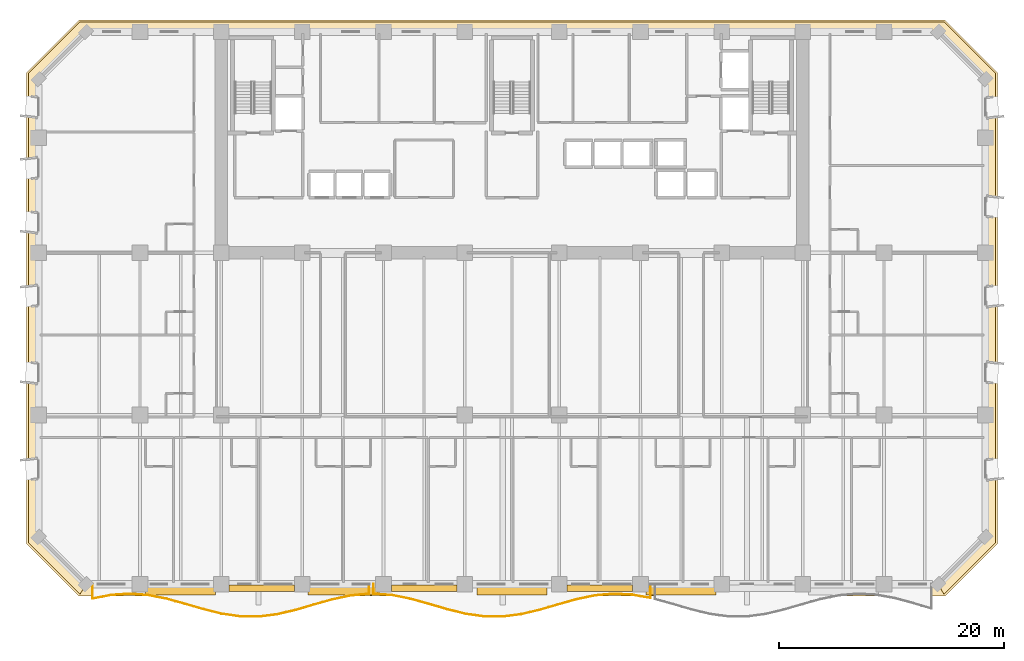
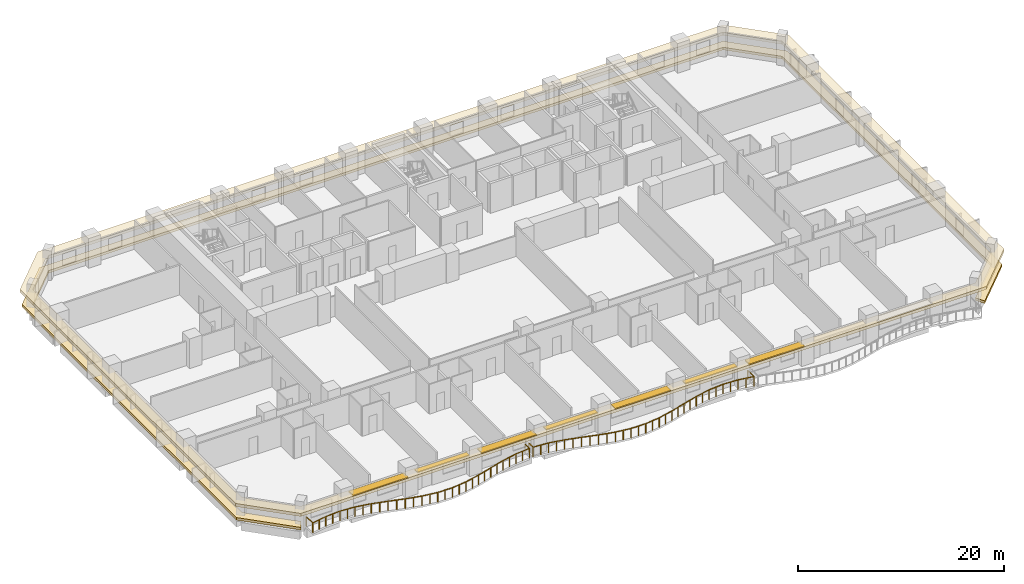
# One storey, part 12 of 15: 7 shading devices, 2 coverings, 2 railings.
"""IFC4 building model written with IfcOpenShell, lengths in metres."""

from ifc_helpers import new_model, si_unit, direction, frame, origin, origin_2d, place, context, subcontext, project, spatial, polyline, rectangle, outline, extrude, material, layer, layer_set, type_object, element, save


model = new_model("IFC4")

# Units and contexts
model_context = context("Model", 3, precision=1e-05, world=origin(), true_north=direction((0.0, 1.0)))
body_context = subcontext(model_context, "Body", "Model", "MODEL_VIEW")
ifc_project = project(units=[si_unit("LENGTHUNIT", "METRE"), si_unit("AREAUNIT", "SQUARE_METRE"), si_unit("VOLUMEUNIT", "CUBIC_METRE"), si_unit("PLANEANGLEUNIT", "RADIAN"), si_unit("MASSUNIT", "GRAM", prefix="KILO")], contexts=[model_context])

# Site, building, storey
site_placement = place(None, origin())
site = spatial("IfcSite", under=ifc_project, at=site_placement, CompositionType="ELEMENT")
building_placement = place(site_placement, origin())
building = spatial("IfcBuilding", under=site, at=building_placement, Name="Kaelvorn Grand Hotel", CompositionType="ELEMENT")
storey_placement = place(building_placement, frame((0.0, 0.0, 68.89990234375)))
storey = spatial("IfcBuildingStorey", under=building, at=storey_placement, Name="L15", CompositionType="ELEMENT", Elevation=68.89990234375)

# Coverings
ifc_material_1 = material(Name="Precast concrete C45/55", Category="concrete")
ifc_layer_1 = layer(ifc_material_1, 0.260009765625)
ifc_layer_set_1 = layer_set([ifc_layer_1], Name="Precast concrete C45/55")
covering_type_1 = type_object("IfcCoveringType", Name="COV-BAND-STREAMLINE-HEAD", PredefinedType="CLADDING", material=ifc_layer_set_1)
covering_1_placement = place(storey_placement, frame((0.0, 0.0, 2.18017578125)))
element("IfcCovering", 1, at=covering_1_placement, inside=storey, type_object=covering_type_1, Name="L15 Streamline Moderne Wraparound Horizontal Eyebrow Band", PredefinedType="CLADDING", context=body_context, shape_type="SweptSolid", body=[
    extrude(outline(polyline([(3.590087890625, -1.050048828125), (80.409912109375, -1.050048828125), (85.050048828125, 3.590087890625), (85.050048828125, 45.409912109375), (80.409912109375, 50.050048828125), (3.590087890625, 50.050048828125), (-1.050048828125, 45.409912109375), (-1.050048828125, 3.590087890625), (3.590087890625, -1.050048828125)]), holes=[polyline([(4.219970703125, 0.030029296875), (79.780029296875, 0.030029296875), (83.969970703125, 4.219970703125), (83.969970703125, 44.780029296875), (79.780029296875, 48.969970703125), (4.219970703125, 48.969970703125), (0.030029296875, 44.780029296875), (0.030029296875, 4.219970703125), (4.219970703125, 0.030029296875)])]), origin(), (0.0, 0.0, 1.0), 0.35986328125),
])
ifc_layer_2 = layer(ifc_material_1, 0.219970703125)
ifc_layer_set_2 = layer_set([ifc_layer_2], Name="Precast concrete C45/55")
covering_type_2 = type_object("IfcCoveringType", Name="COV-BAND-STREAMLINE-SILL", PredefinedType="CLADDING", material=ifc_layer_set_2)
covering_2_placement = place(storey_placement, frame((0.0, 0.0, 0.4501953125)))
element("IfcCovering", 2, at=covering_2_placement, inside=storey, type_object=covering_type_2, Name="L15 Streamline Moderne Wraparound Horizontal Sill Spandrel Band", PredefinedType="CLADDING", context=body_context, shape_type="SweptSolid", body=[
    extrude(outline(polyline([(80.3154296875, -0.8798828125), (84.8798828125, 3.6845703125), (84.8798828125, 45.3154296875), (80.3154296875, 49.8798828125), (3.6845703125, 49.8798828125), (-0.8798828125, 45.3154296875), (-0.8798828125, 3.6845703125), (3.6845703125, -0.8798828125), (4.217529296875, 0.030029296875), (0.030029296875, 4.217529296875), (0.030029296875, 44.782470703125), (4.217529296875, 48.969970703125), (79.782470703125, 48.969970703125), (83.969970703125, 44.782470703125), (83.969970703125, 4.217529296875), (79.782470703125, 0.030029296875), (80.3154296875, -0.8798828125)])), origin(), (0.0, 0.0, 1.0), 0.2998046875),
])

# Railings
ifc_material_2 = material(Name="Stainless Steel", Category="steel")
railing_type = type_object("IfcRailingType", Name="RL-BALC-1150", PredefinedType="BALUSTRADE", material=ifc_material_2)
railing_1_placement = place(storey_placement, frame((4.800048828125, 0.0, 0.0)))
element("IfcRailing", 3, at=railing_1_placement, inside=storey, type_object=railing_type, Name="L15 Scalloped Wave Balcony Balustrade GR1-1", PredefinedType="BALUSTRADE", context=body_context, shape_type="SweptSolid", body=[
    extrude(rectangle(XDim=0.048095703125, YDim=0.048095703125, at=origin_2d()), frame((0.0, 0.0, 1.1259765625), z_axis=(0.0, -1.0, 0.0), x_axis=(1.0, 0.0, 0.0)), (0.0, 0.0, 1.0), 1.2724609375),
    extrude(rectangle(XDim=0.048095703125, YDim=0.048095703125, at=origin_2d()), frame((0.0, -1.2724609375, 1.1259765625), z_axis=(0.982203562984, 0.1878194901, 0.0), x_axis=(-0.1878194901, 0.982203562984, 0.0)), (0.0, 0.0, 1.0), 1.6650390625),
    extrude(rectangle(XDim=0.048095703125, YDim=0.048095703125, at=origin_2d()), frame((1.635498046875, -0.959716796875, 1.1259765625), z_axis=(0.997761369143, 0.066874885019, 0.0), x_axis=(-0.066874885019, 0.997761369143, 0.0)), (0.0, 0.0, 1.0), 1.63916015625),
    extrude(rectangle(XDim=0.048095703125, YDim=0.048095703125, at=origin_2d()), frame((3.27099609375, -0.85009765625, 1.1259765625), z_axis=(0.997411632493, -0.071902957984, 0.0), x_axis=(0.071902957984, 0.997411632493, 0.0)), (0.0, 0.0, 1.0), 1.639892578125),
    extrude(rectangle(XDim=0.048095703125, YDim=0.048095703125, at=origin_2d()), frame((4.90673828125, -0.968017578125, 1.1259765625), z_axis=(0.981438838615, -0.191775405247, 0.0), x_axis=(0.191775405247, 0.981438838615, 0.0)), (0.0, 0.0, 1.0), 1.66650390625),
    extrude(rectangle(XDim=0.048095703125, YDim=0.048095703125, at=origin_2d()), frame((6.542236328125, -1.28759765625, 1.1259765625), z_axis=(0.96417686915, -0.265260183586, 0.0), x_axis=(0.265260183586, 0.96417686915, 0.0)), (0.0, 0.0, 1.0), 1.6962890625),
    extrude(rectangle(XDim=0.048095703125, YDim=0.048095703125, at=origin_2d()), frame((8.177734375, -1.737548828125, 1.1259765625), z_axis=(0.959454398454, -0.281863898516, 0.0), x_axis=(0.281863898516, 0.959454398454, 0.0)), (0.0, 0.0, 1.0), 1.70458984375),
    extrude(rectangle(XDim=0.048095703125, YDim=0.048095703125, at=origin_2d()), frame((9.813232421875, -2.218017578125, 1.1259765625), z_axis=(0.970778455787, -0.239977477651, 0.0), x_axis=(0.239977477651, 0.970778455787, 0.0)), (0.0, 0.0, 1.0), 1.684814453125),
    extrude(rectangle(XDim=0.048095703125, YDim=0.048095703125, at=origin_2d()), frame((11.44873046875, -2.622314453125, 1.1259765625), z_axis=(0.98955581649, -0.144150220432, 0.0), x_axis=(0.144150220432, 0.98955581649, 0.0)), (0.0, 0.0, 1.0), 1.653076171875),
    extrude(rectangle(XDim=0.048095703125, YDim=0.048095703125, at=origin_2d()), frame((13.08447265625, -2.860595703125, 1.1259765625), z_axis=(0.999928700978, -0.011941229449, 0.0), x_axis=(0.011941229449, 0.999928700978, 0.0)), (0.0, 0.0, 1.0), 1.635498046875),
    extrude(rectangle(XDim=0.048095703125, YDim=0.048095703125, at=origin_2d()), frame((14.719970703125, -2.880126953125, 1.1259765625), z_axis=(0.992302924099, 0.123834190856, 0.0), x_axis=(-0.123834190856, 0.992302924099, 0.0)), (0.0, 0.0, 1.0), 1.648193359375),
    extrude(rectangle(XDim=0.048095703125, YDim=0.048095703125, at=origin_2d()), frame((16.35546875, -2.676025390625, 1.1259765625), z_axis=(0.973844426508, 0.227215829024, 0.0), x_axis=(-0.227215829024, 0.973844426508, 0.0)), (0.0, 0.0, 1.0), 1.679443359375),
    extrude(rectangle(XDim=0.048095703125, YDim=0.048095703125, at=origin_2d()), frame((17.990966796875, -2.29443359375, 1.1259765625), z_axis=(0.960314032901, 0.278921060899, 0.0), x_axis=(-0.278921060899, 0.960314032901, 0.0)), (0.0, 0.0, 1.0), 1.703369140625),
    extrude(rectangle(XDim=0.048095703125, YDim=0.048095703125, at=origin_2d()), frame((19.626708984375, -1.8193359375, 1.1259765625), z_axis=(0.962241545122, 0.272197003733, 0.0), x_axis=(-0.272197003733, 0.962241545122, 0.0)), (0.0, 0.0, 1.0), 1.69970703125),
    extrude(rectangle(XDim=0.048095703125, YDim=0.048095703125, at=origin_2d()), frame((21.26220703125, -1.356689453125, 1.1259765625), z_axis=(0.978174805455, 0.207783661466, 0.0), x_axis=(-0.207783661466, 0.978174805455, 0.0)), (0.0, 0.0, 1.0), 1.671875),
    extrude(rectangle(XDim=0.048095703125, YDim=0.048095703125, at=origin_2d()), frame((22.897705078125, -1.00927734375, 1.1259765625), z_axis=(0.995523480824, 0.09451454453, 0.0), x_axis=(-0.09451454453, 0.995523480824, 0.0)), (0.0, 0.0, 1.0), 1.642822265625),
    extrude(rectangle(XDim=0.048095703125, YDim=0.048095703125, at=origin_2d()), frame((24.533203125, -0.85400390625, 1.1259765625), z_axis=(0.0, 1.0, 0.0), x_axis=(-1.0, 0.0, 0.0)), (0.0, 0.0, 1.0), 0.85400390625),
    extrude(rectangle(XDim=0.0419921875, YDim=0.0419921875, at=origin_2d()), origin(), (0.0, 0.0, 1.0), 1.101806640625),
    extrude(rectangle(XDim=0.0419921875, YDim=0.0419921875, at=origin_2d()), frame((0.0, -1.2724609375, 0.0)), (0.0, 0.0, 1.0), 1.101806640625),
    extrude(rectangle(XDim=0.0419921875, YDim=0.0419921875, at=origin_2d()), frame((0.81787109375, -1.1162109375, 0.0)), (0.0, 0.0, 1.0), 1.101806640625),
    extrude(rectangle(XDim=0.0419921875, YDim=0.0419921875, at=origin_2d()), frame((1.635498046875, -0.959716796875, 0.0)), (0.0, 0.0, 1.0), 1.101806640625),
    extrude(rectangle(XDim=0.0419921875, YDim=0.0419921875, at=origin_2d()), frame((2.453125, -0.90478515625, 0.0)), (0.0, 0.0, 1.0), 1.101806640625),
    extrude(rectangle(XDim=0.0419921875, YDim=0.0419921875, at=origin_2d()), frame((3.27099609375, -0.85009765625, 0.0)), (0.0, 0.0, 1.0), 1.101806640625),
    extrude(rectangle(XDim=0.0419921875, YDim=0.0419921875, at=origin_2d()), frame((4.0888671875, -0.9091796875, 0.0)), (0.0, 0.0, 1.0), 1.101806640625),
    extrude(rectangle(XDim=0.0419921875, YDim=0.0419921875, at=origin_2d()), frame((4.90673828125, -0.968017578125, 0.0)), (0.0, 0.0, 1.0), 1.101806640625),
    extrude(rectangle(XDim=0.0419921875, YDim=0.0419921875, at=origin_2d()), frame((5.724609375, -1.1279296875, 0.0)), (0.0, 0.0, 1.0), 1.101806640625),
    extrude(rectangle(XDim=0.0419921875, YDim=0.0419921875, at=origin_2d()), frame((6.542236328125, -1.28759765625, 0.0)), (0.0, 0.0, 1.0), 1.101806640625),
    extrude(rectangle(XDim=0.0419921875, YDim=0.0419921875, at=origin_2d()), frame((7.35986328125, -1.5126953125, 0.0)), (0.0, 0.0, 1.0), 1.101806640625),
    extrude(rectangle(XDim=0.0419921875, YDim=0.0419921875, at=origin_2d()), frame((8.177734375, -1.737548828125, 0.0)), (0.0, 0.0, 1.0), 1.101806640625),
    extrude(rectangle(XDim=0.0419921875, YDim=0.0419921875, at=origin_2d()), frame((8.99560546875, -1.977783203125, 0.0)), (0.0, 0.0, 1.0), 1.101806640625),
    extrude(rectangle(XDim=0.0419921875, YDim=0.0419921875, at=origin_2d()), frame((9.813232421875, -2.218017578125, 0.0)), (0.0, 0.0, 1.0), 1.101806640625),
    extrude(rectangle(XDim=0.0419921875, YDim=0.0419921875, at=origin_2d()), frame((10.630859375, -2.420166015625, 0.0)), (0.0, 0.0, 1.0), 1.101806640625),
    extrude(rectangle(XDim=0.0419921875, YDim=0.0419921875, at=origin_2d()), frame((11.44873046875, -2.622314453125, 0.0)), (0.0, 0.0, 1.0), 1.101806640625),
    extrude(rectangle(XDim=0.0419921875, YDim=0.0419921875, at=origin_2d()), frame((12.2666015625, -2.741455078125, 0.0)), (0.0, 0.0, 1.0), 1.101806640625),
    extrude(rectangle(XDim=0.0419921875, YDim=0.0419921875, at=origin_2d()), frame((13.08447265625, -2.860595703125, 0.0)), (0.0, 0.0, 1.0), 1.101806640625),
    extrude(rectangle(XDim=0.0419921875, YDim=0.0419921875, at=origin_2d()), frame((13.90234375, -2.870361328125, 0.0)), (0.0, 0.0, 1.0), 1.101806640625),
    extrude(rectangle(XDim=0.0419921875, YDim=0.0419921875, at=origin_2d()), frame((14.719970703125, -2.880126953125, 0.0)), (0.0, 0.0, 1.0), 1.101806640625),
    extrude(rectangle(XDim=0.0419921875, YDim=0.0419921875, at=origin_2d()), frame((15.53759765625, -2.778076171875, 0.0)), (0.0, 0.0, 1.0), 1.101806640625),
    extrude(rectangle(XDim=0.0419921875, YDim=0.0419921875, at=origin_2d()), frame((16.35546875, -2.676025390625, 0.0)), (0.0, 0.0, 1.0), 1.101806640625),
    extrude(rectangle(XDim=0.0419921875, YDim=0.0419921875, at=origin_2d()), frame((17.17333984375, -2.4853515625, 0.0)), (0.0, 0.0, 1.0), 1.101806640625),
    extrude(rectangle(XDim=0.0419921875, YDim=0.0419921875, at=origin_2d()), frame((17.990966796875, -2.29443359375, 0.0)), (0.0, 0.0, 1.0), 1.101806640625),
    extrude(rectangle(XDim=0.0419921875, YDim=0.0419921875, at=origin_2d()), frame((18.808837890625, -2.056884765625, 0.0)), (0.0, 0.0, 1.0), 1.101806640625),
    extrude(rectangle(XDim=0.0419921875, YDim=0.0419921875, at=origin_2d()), frame((19.626708984375, -1.8193359375, 0.0)), (0.0, 0.0, 1.0), 1.101806640625),
    extrude(rectangle(XDim=0.0419921875, YDim=0.0419921875, at=origin_2d()), frame((20.4443359375, -1.587890625, 0.0)), (0.0, 0.0, 1.0), 1.101806640625),
    extrude(rectangle(XDim=0.0419921875, YDim=0.0419921875, at=origin_2d()), frame((21.26220703125, -1.356689453125, 0.0)), (0.0, 0.0, 1.0), 1.101806640625),
    extrude(rectangle(XDim=0.0419921875, YDim=0.0419921875, at=origin_2d()), frame((22.080078125, -1.18310546875, 0.0)), (0.0, 0.0, 1.0), 1.101806640625),
    extrude(rectangle(XDim=0.0419921875, YDim=0.0419921875, at=origin_2d()), frame((22.897705078125, -1.00927734375, 0.0)), (0.0, 0.0, 1.0), 1.101806640625),
    extrude(rectangle(XDim=0.0419921875, YDim=0.0419921875, at=origin_2d()), frame((23.71533203125, -0.931640625, 0.0)), (0.0, 0.0, 1.0), 1.101806640625),
    extrude(rectangle(XDim=0.0419921875, YDim=0.0419921875, at=origin_2d()), frame((24.533203125, -0.85400390625, 0.0)), (0.0, 0.0, 1.0), 1.101806640625),
    extrude(rectangle(XDim=0.0419921875, YDim=0.0419921875, at=origin_2d()), frame((24.533203125, 0.0, 0.0)), (0.0, 0.0, 1.0), 1.101806640625),
])
railing_2_placement = place(storey_placement, frame((29.7333984375, 0.0, 0.0)))
element("IfcRailing", 4, at=railing_2_placement, inside=storey, type_object=railing_type, Name="L15 Scalloped Wave Balcony Balustrade GR1-2", PredefinedType="BALUSTRADE", context=body_context, shape_type="SweptSolid", body=[
    extrude(rectangle(XDim=0.048095703125, YDim=0.048095703125, at=origin_2d()), frame((0.0, 0.0, 1.1259765625), z_axis=(0.0, -1.0, 0.0), x_axis=(1.0, 0.0, 0.0)), (0.0, 0.0, 1.0), 0.850341796875),
    extrude(rectangle(XDim=0.048095703125, YDim=0.048095703125, at=origin_2d()), frame((0.0, -0.850341796875, 1.1259765625), z_axis=(0.997023764101, -0.077094836514, 0.0), x_axis=(0.077094836514, 0.997023764101, 0.0)), (0.0, 0.0, 1.0), 1.640380859375),
    extrude(rectangle(XDim=0.048095703125, YDim=0.048095703125, at=origin_2d()), frame((1.635498046875, -0.976806640625, 1.1259765625), z_axis=(0.980687509387, -0.195581208022, 0.0), x_axis=(0.195581208022, 0.980687509387, 0.0)), (0.0, 0.0, 1.0), 1.667724609375),
    extrude(rectangle(XDim=0.048095703125, YDim=0.048095703125, at=origin_2d()), frame((3.27099609375, -1.302978515625, 1.1259765625), z_axis=(0.963696999215, -0.266998302813, 0.0), x_axis=(0.266998302813, 0.963696999215, 0.0)), (0.0, 0.0, 1.0), 1.697021484375),
    extrude(rectangle(XDim=0.048095703125, YDim=0.048095703125, at=origin_2d()), frame((4.906494140625, -1.756103515625, 1.1259765625), z_axis=(0.959620545058, -0.281297723954, 0.0), x_axis=(0.281297723954, 0.959620545058, 0.0)), (0.0, 0.0, 1.0), 1.70458984375),
    extrude(rectangle(XDim=0.048095703125, YDim=0.048095703125, at=origin_2d()), frame((6.542236328125, -2.235595703125, 1.1259765625), z_axis=(0.971450272651, -0.237243267063, 0.0), x_axis=(0.237243267063, 0.971450272651, 0.0)), (0.0, 0.0, 1.0), 1.68359375),
    extrude(rectangle(XDim=0.048095703125, YDim=0.048095703125, at=origin_2d()), frame((8.177734375, -2.635009765625, 1.1259765625), z_axis=(0.990216726889, -0.139537929569, 0.0), x_axis=(0.139537929569, 0.990216726889, 0.0)), (0.0, 0.0, 1.0), 1.651611328125),
    extrude(rectangle(XDim=0.048095703125, YDim=0.048095703125, at=origin_2d()), frame((9.813232421875, -2.865478515625, 1.1259765625), z_axis=(0.999978430437, -0.006568002827, 0.0), x_axis=(0.006568002827, 0.999978430437, 0.0)), (0.0, 0.0, 1.0), 1.635498046875),
    extrude(rectangle(XDim=0.048095703125, YDim=0.048095703125, at=origin_2d()), frame((11.44873046875, -2.876220703125, 1.1259765625), z_axis=(0.991731137416, 0.128332969573, 0.0), x_axis=(-0.128332969573, 0.991731137416, 0.0)), (0.0, 0.0, 1.0), 1.6494140625),
    extrude(rectangle(XDim=0.048095703125, YDim=0.048095703125, at=origin_2d()), frame((13.08447265625, -2.66455078125, 1.1259765625), z_axis=(0.973100001254, 0.230383132108, 0.0), x_axis=(-0.230383132108, 0.973100001254, 0.0)), (0.0, 0.0, 1.0), 1.6806640625),
    extrude(rectangle(XDim=0.048095703125, YDim=0.048095703125, at=origin_2d()), frame((14.719970703125, -2.27734375, 1.1259765625), z_axis=(0.960072199194, 0.27975234107, 0.0), x_axis=(-0.27975234107, 0.960072199194, 0.0)), (0.0, 0.0, 1.0), 1.70361328125),
    extrude(rectangle(XDim=0.048095703125, YDim=0.048095703125, at=origin_2d()), frame((16.35546875, -1.80078125, 1.1259765625), z_axis=(0.962654451324, 0.270733092446, 0.0), x_axis=(-0.270733092446, 0.962654451324, 0.0)), (0.0, 0.0, 1.0), 1.698974609375),
    extrude(rectangle(XDim=0.048095703125, YDim=0.048095703125, at=origin_2d()), frame((17.990966796875, -1.3408203125, 1.1259765625), z_axis=(0.97891716502, 0.204257641298, 0.0), x_axis=(-0.204257641298, 0.97891716502, 0.0)), (0.0, 0.0, 1.0), 1.6708984375),
    extrude(rectangle(XDim=0.048095703125, YDim=0.048095703125, at=origin_2d()), frame((19.626708984375, -0.99951171875, 1.1259765625), z_axis=(0.9959865086, 0.089503489801, 0.0), x_axis=(-0.089503489801, 0.9959865086, 0.0)), (0.0, 0.0, 1.0), 1.64208984375),
    extrude(rectangle(XDim=0.048095703125, YDim=0.048095703125, at=origin_2d()), frame((21.26220703125, -0.8525390625, 1.1259765625), z_axis=(0.998796192394, -0.049052686565, 0.0), x_axis=(0.049052686565, 0.998796192394, 0.0)), (0.0, 0.0, 1.0), 1.637451171875),
    extrude(rectangle(XDim=0.048095703125, YDim=0.048095703125, at=origin_2d()), frame((22.897705078125, -0.932861328125, 1.1259765625), z_axis=(0.984712445929, -0.174187826306, 0.0), x_axis=(0.174187826306, 0.984712445929, 0.0)), (0.0, 0.0, 1.0), 1.660888671875),
    extrude(rectangle(XDim=0.048095703125, YDim=0.048095703125, at=origin_2d()), frame((24.533203125, -1.22216796875, 1.1259765625), z_axis=(0.0, 1.0, 0.0), x_axis=(-1.0, 0.0, 0.0)), (0.0, 0.0, 1.0), 1.22216796875),
    extrude(rectangle(XDim=0.0419921875, YDim=0.0419921875, at=origin_2d()), origin(), (0.0, 0.0, 1.0), 1.101806640625),
    extrude(rectangle(XDim=0.0419921875, YDim=0.0419921875, at=origin_2d()), frame((0.0, -0.850341796875, 0.0)), (0.0, 0.0, 1.0), 1.101806640625),
    extrude(rectangle(XDim=0.0419921875, YDim=0.0419921875, at=origin_2d()), frame((0.81787109375, -0.91357421875, 0.0)), (0.0, 0.0, 1.0), 1.101806640625),
    extrude(rectangle(XDim=0.0419921875, YDim=0.0419921875, at=origin_2d()), frame((1.635498046875, -0.976806640625, 0.0)), (0.0, 0.0, 1.0), 1.101806640625),
    extrude(rectangle(XDim=0.0419921875, YDim=0.0419921875, at=origin_2d()), frame((2.453125, -1.139892578125, 0.0)), (0.0, 0.0, 1.0), 1.101806640625),
    extrude(rectangle(XDim=0.0419921875, YDim=0.0419921875, at=origin_2d()), frame((3.27099609375, -1.302978515625, 0.0)), (0.0, 0.0, 1.0), 1.101806640625),
    extrude(rectangle(XDim=0.0419921875, YDim=0.0419921875, at=origin_2d()), frame((4.0888671875, -1.529541015625, 0.0)), (0.0, 0.0, 1.0), 1.101806640625),
    extrude(rectangle(XDim=0.0419921875, YDim=0.0419921875, at=origin_2d()), frame((4.906494140625, -1.756103515625, 0.0)), (0.0, 0.0, 1.0), 1.101806640625),
    extrude(rectangle(XDim=0.0419921875, YDim=0.0419921875, at=origin_2d()), frame((5.724365234375, -1.995849609375, 0.0)), (0.0, 0.0, 1.0), 1.101806640625),
    extrude(rectangle(XDim=0.0419921875, YDim=0.0419921875, at=origin_2d()), frame((6.542236328125, -2.235595703125, 0.0)), (0.0, 0.0, 1.0), 1.101806640625),
    extrude(rectangle(XDim=0.0419921875, YDim=0.0419921875, at=origin_2d()), frame((7.35986328125, -2.435302734375, 0.0)), (0.0, 0.0, 1.0), 1.101806640625),
    extrude(rectangle(XDim=0.0419921875, YDim=0.0419921875, at=origin_2d()), frame((8.177734375, -2.635009765625, 0.0)), (0.0, 0.0, 1.0), 1.101806640625),
    extrude(rectangle(XDim=0.0419921875, YDim=0.0419921875, at=origin_2d()), frame((8.99560546875, -2.750244140625, 0.0)), (0.0, 0.0, 1.0), 1.101806640625),
    extrude(rectangle(XDim=0.0419921875, YDim=0.0419921875, at=origin_2d()), frame((9.813232421875, -2.865478515625, 0.0)), (0.0, 0.0, 1.0), 1.101806640625),
    extrude(rectangle(XDim=0.0419921875, YDim=0.0419921875, at=origin_2d()), frame((10.630859375, -2.870849609375, 0.0)), (0.0, 0.0, 1.0), 1.101806640625),
    extrude(rectangle(XDim=0.0419921875, YDim=0.0419921875, at=origin_2d()), frame((11.44873046875, -2.876220703125, 0.0)), (0.0, 0.0, 1.0), 1.101806640625),
    extrude(rectangle(XDim=0.0419921875, YDim=0.0419921875, at=origin_2d()), frame((12.2666015625, -2.7705078125, 0.0)), (0.0, 0.0, 1.0), 1.101806640625),
    extrude(rectangle(XDim=0.0419921875, YDim=0.0419921875, at=origin_2d()), frame((13.08447265625, -2.66455078125, 0.0)), (0.0, 0.0, 1.0), 1.101806640625),
    extrude(rectangle(XDim=0.0419921875, YDim=0.0419921875, at=origin_2d()), frame((13.90234375, -2.470947265625, 0.0)), (0.0, 0.0, 1.0), 1.101806640625),
    extrude(rectangle(XDim=0.0419921875, YDim=0.0419921875, at=origin_2d()), frame((14.719970703125, -2.27734375, 0.0)), (0.0, 0.0, 1.0), 1.101806640625),
    extrude(rectangle(XDim=0.0419921875, YDim=0.0419921875, at=origin_2d()), frame((15.53759765625, -2.0390625, 0.0)), (0.0, 0.0, 1.0), 1.101806640625),
    extrude(rectangle(XDim=0.0419921875, YDim=0.0419921875, at=origin_2d()), frame((16.35546875, -1.80078125, 0.0)), (0.0, 0.0, 1.0), 1.101806640625),
    extrude(rectangle(XDim=0.0419921875, YDim=0.0419921875, at=origin_2d()), frame((17.17333984375, -1.57080078125, 0.0)), (0.0, 0.0, 1.0), 1.101806640625),
    extrude(rectangle(XDim=0.0419921875, YDim=0.0419921875, at=origin_2d()), frame((17.990966796875, -1.3408203125, 0.0)), (0.0, 0.0, 1.0), 1.101806640625),
    extrude(rectangle(XDim=0.0419921875, YDim=0.0419921875, at=origin_2d()), frame((18.808837890625, -1.170166015625, 0.0)), (0.0, 0.0, 1.0), 1.101806640625),
    extrude(rectangle(XDim=0.0419921875, YDim=0.0419921875, at=origin_2d()), frame((19.626708984375, -0.99951171875, 0.0)), (0.0, 0.0, 1.0), 1.101806640625),
    extrude(rectangle(XDim=0.0419921875, YDim=0.0419921875, at=origin_2d()), frame((20.4443359375, -0.926025390625, 0.0)), (0.0, 0.0, 1.0), 1.101806640625),
    extrude(rectangle(XDim=0.0419921875, YDim=0.0419921875, at=origin_2d()), frame((21.26220703125, -0.8525390625, 0.0)), (0.0, 0.0, 1.0), 1.101806640625),
    extrude(rectangle(XDim=0.0419921875, YDim=0.0419921875, at=origin_2d()), frame((22.080078125, -0.892578125, 0.0)), (0.0, 0.0, 1.0), 1.101806640625),
    extrude(rectangle(XDim=0.0419921875, YDim=0.0419921875, at=origin_2d()), frame((22.897705078125, -0.932861328125, 0.0)), (0.0, 0.0, 1.0), 1.101806640625),
    extrude(rectangle(XDim=0.0419921875, YDim=0.0419921875, at=origin_2d()), frame((23.71533203125, -1.07763671875, 0.0)), (0.0, 0.0, 1.0), 1.101806640625),
    extrude(rectangle(XDim=0.0419921875, YDim=0.0419921875, at=origin_2d()), frame((24.533203125, -1.22216796875, 0.0)), (0.0, 0.0, 1.0), 1.101806640625),
    extrude(rectangle(XDim=0.0419921875, YDim=0.0419921875, at=origin_2d()), frame((24.533203125, 0.0, 0.0)), (0.0, 0.0, 1.0), 1.101806640625),
])

# Shading devices
ifc_layer_3 = layer(ifc_material_1, 0.1201171875)
ifc_layer_set_3 = layer_set([ifc_layer_3], Name="Precast concrete C45/55")
shading_device_type_1 = type_object("IfcShadingDeviceType", Name="SHD-SUNSHADE-550", PredefinedType="USERDEFINED", material=ifc_layer_set_3)
for number, where, z_axis, x_axis, name in (
    (5, (19.800048828125, -0.364990234375, 2.419921875), (0.0, 0.0, 1.0), (1.0, 0.0, 0.0), "L15 Horizontal Concrete Sunshade Band SS-03"),
    (6, (34.199951171875, -0.364990234375, 2.419921875), (0.0, 0.0, 1.0), (1.0, 0.0, 0.0), "L15 Horizontal Concrete Sunshade Band SS-05"),
    (7, (49.800048828125, -0.364990234375, 2.419921875), (0.0, 0.0, 1.0), (1.0, 0.0, 0.0), "L15 Horizontal Concrete Sunshade Band SS-07"),
):
    element("IfcShadingDevice", number, at=place(storey_placement, frame(where, z_axis=z_axis, x_axis=x_axis)), inside=storey, type_object=shading_device_type_1, Name=name, ObjectType="SUNSHADE", PredefinedType="USERDEFINED", context=body_context, shape_type="SweptSolid", body=[
        extrude(rectangle(XDim=5.800048828125, YDim=0.550048828125, at=origin_2d()), origin(), (0.0, 0.0, 1.0), 0.1201171875),
    ])
ifc_layer_4 = layer(ifc_material_1, 0.139892578125)
ifc_layer_set_4 = layer_set([ifc_layer_4], Name="Precast concrete C45/55")
shading_device_type_2 = type_object("IfcShadingDeviceType", Name="SHD-SUNSHADE-850", PredefinedType="USERDEFINED", material=ifc_layer_set_4)
for number, where, z_axis, x_axis, name in (
    (8, (12.60009765625, -0.514892578125, 2.41015625), (0.0, 0.0, 1.0), (1.0, 0.0, 0.0), "L15 Horizontal Concrete Sunshade Band SS-02"),
    (9, (27.0, -0.514892578125, 2.41015625), (0.0, 0.0, 1.0), (1.0, 0.0, 0.0), "L15 Horizontal Concrete Sunshade Band SS-04"),
    (10, (42.0, -0.514892578125, 2.41015625), (0.0, 0.0, 1.0), (1.0, 0.0, 0.0), "L15 Horizontal Concrete Sunshade Band SS-06"),
    (11, (57.0, -0.514892578125, 2.41015625), (0.0, 0.0, 1.0), (1.0, 0.0, 0.0), "L15 Horizontal Concrete Sunshade Band SS-08"),
):
    element("IfcShadingDevice", number, at=place(storey_placement, frame(where, z_axis=z_axis, x_axis=x_axis)), inside=storey, type_object=shading_device_type_2, Name=name, ObjectType="SUNSHADE", PredefinedType="USERDEFINED", context=body_context, shape_type="SweptSolid", body=[
        extrude(rectangle(XDim=6.199951171875, YDim=0.85009765625, at=origin_2d()), origin(), (0.0, 0.0, 1.0), 0.139892578125),
    ])

save(model, "model.ifc")
